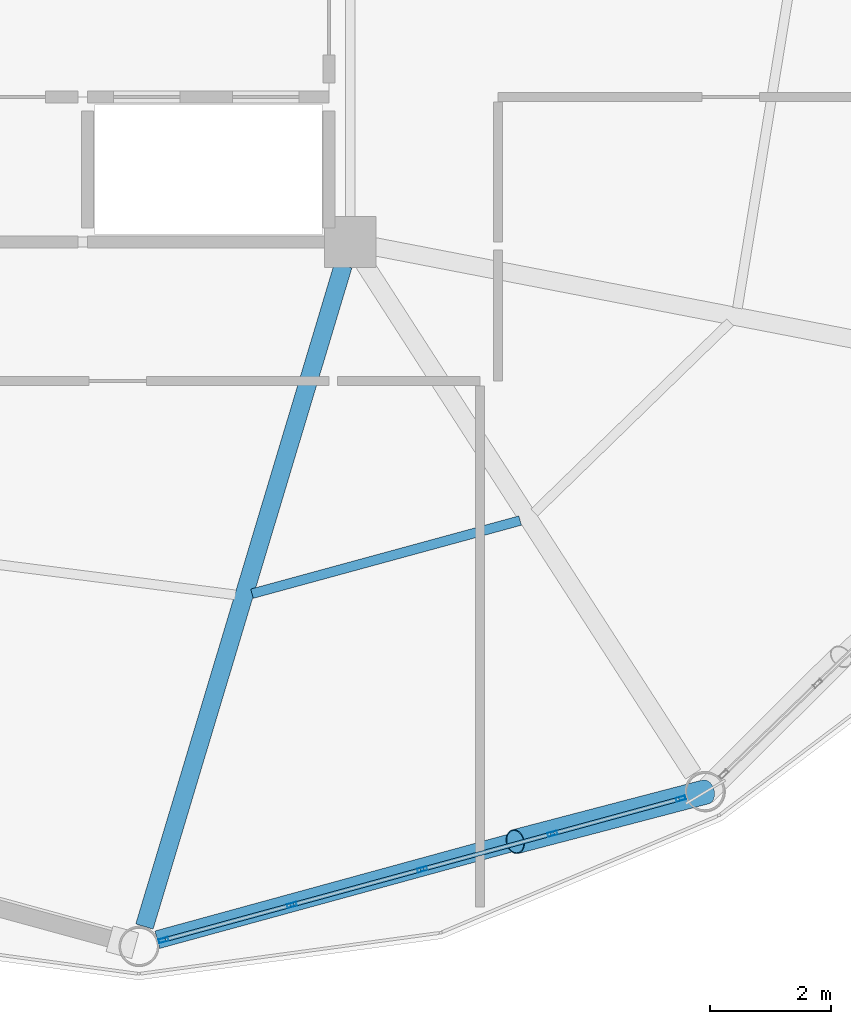
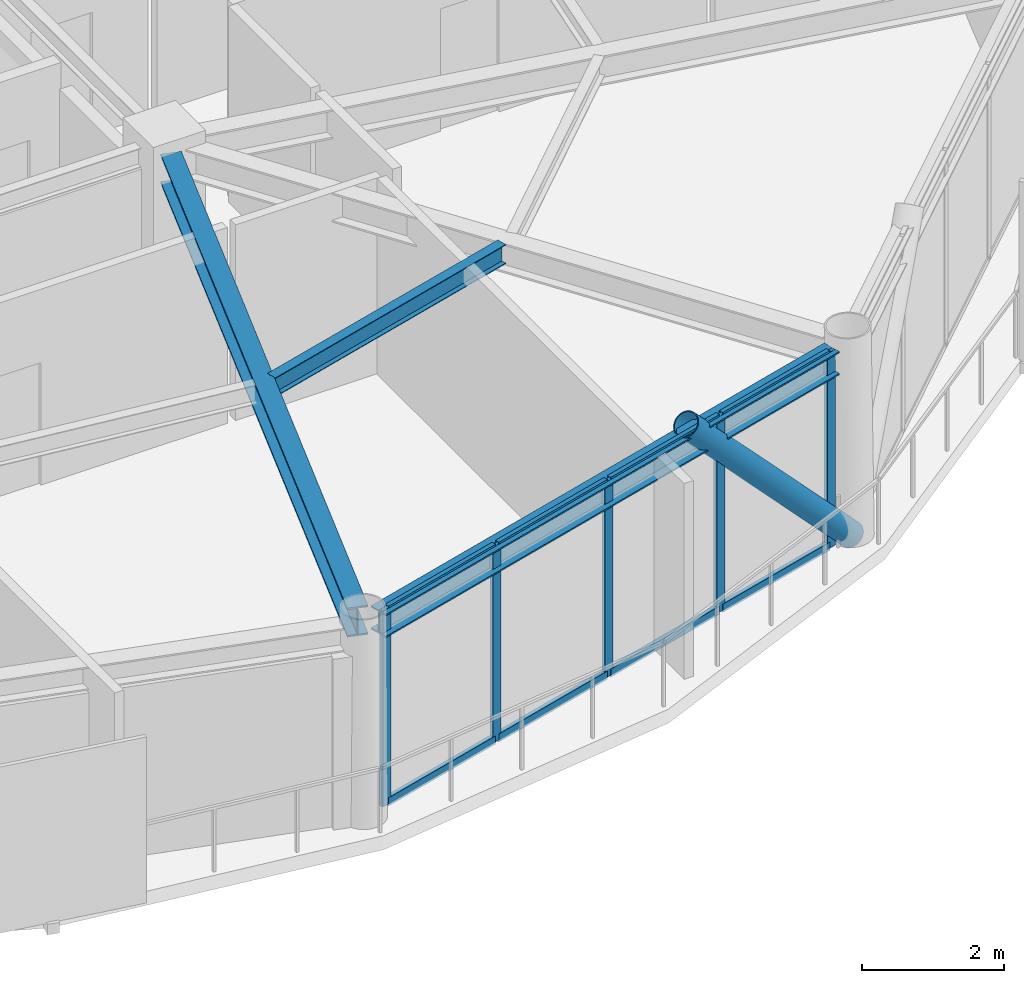
# One storey, part 7 of 28: 14 members, 3 beams, 1 element without a shape of its own.
"""IFC4 building model written with IfcOpenShell, lengths in metres."""

from ifc_helpers import new_model, si_unit, direction, frame, origin, origin_2d, place, context, subcontext, project, spatial, hollow_rectangle, hollow_circle, i_section, extrude, material, layer, layer_set, material_profile, profile_set, type_object, element, aggregate, save


model = new_model("IFC4")

# Units and contexts
model_context = context("Model", 3, precision=1e-05, world=origin(), true_north=direction((0.0, 1.0)))
body_context = subcontext(model_context, "Body", "Model", "MODEL_VIEW")
ifc_project = project(units=[si_unit("LENGTHUNIT", "METRE"), si_unit("AREAUNIT", "SQUARE_METRE"), si_unit("VOLUMEUNIT", "CUBIC_METRE"), si_unit("PLANEANGLEUNIT", "RADIAN"), si_unit("MASSUNIT", "GRAM", prefix="KILO")], contexts=[model_context])

# Site, building, storey
site_placement = place(None, origin())
site = spatial("IfcSite", under=ifc_project, at=site_placement, CompositionType="ELEMENT")
building_placement = place(site_placement, origin())
building = spatial("IfcBuilding", under=site, at=building_placement, Name="Varnakorn Sky Granary", CompositionType="ELEMENT")
storey_placement = place(building_placement, frame((0.0, 0.0, 225.60009765625)))
storey = spatial("IfcBuildingStorey", under=building, at=storey_placement, Name="L57", CompositionType="ELEMENT", Elevation=225.60009765625)

# Beams
ifc_material_1 = material(Name="Steel S355JR", Category="steel")
ifc_material_profile_1 = material_profile(ifc_material_1, i_section(OverallWidth=0.300048828125, OverallDepth=0.5, WebThickness=0.014404296875, FlangeThickness=0.028076171875, at=origin_2d()), Name="HE 500 B")
ifc_profile_set_1 = profile_set([ifc_material_profile_1], Name="Steel S355JR")
beam_type_1 = type_object("IfcBeamType", Name="BM-RAD-Z4", PredefinedType="BEAM", material=ifc_profile_set_1)
beam_1_placement = place(storey_placement, frame((8.2333984375, -6.98779296875, 3.10986328125), z_axis=(-0.287909914186, -0.957657496871, 0.0), x_axis=(0.957657496871, -0.287909914186, 0.0)))
element("IfcBeam", 1, at=beam_1_placement, inside=storey, type_object=beam_type_1, Name="Radial Floor Girder RG10 L57", PredefinedType="BEAM", context=body_context, shape_type="SweptSolid", body=[
    extrude(i_section(OverallWidth=0.300048828125, OverallDepth=0.5, WebThickness=0.014404296875, FlangeThickness=0.028076171875, at=origin_2d()), origin(), (0.0, 0.0, 1.0), 11.436767578125),
])
ifc_material_profile_2 = material_profile(ifc_material_1, i_section(OverallWidth=0.159912109375, OverallDepth=0.330078125, WebThickness=0.007568359375, FlangeThickness=0.011474609375, at=origin_2d()), Name="IPE 330")
ifc_profile_set_2 = profile_set([ifc_material_profile_2], Name="Steel S355JR")
beam_type_2 = type_object("IfcBeamType", Name="BM-SEC-Z4", PredefinedType="BEAM", material=ifc_profile_set_2)
beam_2_placement = place(storey_placement, frame((6.72216796875, -12.42724609375, 3.19482421875), z_axis=(0.964736895802, 0.263216112497, 0.0), x_axis=(-0.263216112497, 0.964736895802, 0.0)))
element("IfcBeam", 2, at=beam_2_placement, inside=storey, type_object=beam_type_2, Name="Secondary Floor Chord Beam MSB10 L57", PredefinedType="BEAM", context=body_context, shape_type="SweptSolid", body=[
    extrude(i_section(OverallWidth=0.159912109375, OverallDepth=0.330078125, WebThickness=0.007568359375, FlangeThickness=0.011474609375, at=origin_2d()), origin(), (0.0, 0.0, 1.0), 4.604248046875),
])
ifc_material_profile_3 = material_profile(ifc_material_1, i_section(OverallWidth=0.300048828125, OverallDepth=0.39990234375, WebThickness=0.013427734375, FlangeThickness=0.02392578125, at=origin_2d()), Name="HE 400 B")
ifc_profile_set_3 = profile_set([ifc_material_profile_3], Name="Steel S355JR")
beam_type_3 = type_object("IfcBeamType", Name="BM-SPD-Z4", PredefinedType="SPANDREL", material=ifc_profile_set_3)
beam_3_placement = place(storey_placement, frame((5.15380859375, -18.15869140625, 3.159912109375), z_axis=(0.964479816997, 0.264156549426, 0.0), x_axis=(-0.264156549426, 0.964479816997, 0.0)))
element("IfcBeam", 3, at=beam_3_placement, inside=storey, type_object=beam_type_3, Name="Perimeter Spandrel Ring Beam RB10 L57", PredefinedType="SPANDREL", context=body_context, shape_type="SweptSolid", body=[
    extrude(i_section(OverallWidth=0.300048828125, OverallDepth=0.39990234375, WebThickness=0.013427734375, FlangeThickness=0.02392578125, at=origin_2d()), origin(), (0.0, 0.0, 1.0), 9.06396484375),
])

# Curtain wall, members
ifc_material_2 = material(Name="Anodised Bronze Aluminium Alloy 6063-T6", Category="aluminium")
ifc_layer = layer(ifc_material_2, 0.169921875, Name="Anodised Bronze Aluminium Alloy 6063-T6")
ifc_layer_set = layer_set([ifc_layer], Name="Anodised Bronze Aluminium Alloy 6063-T6")
curtain_wall_type = type_object("IfcCurtainWallType", Name="CW-LAB-1", PredefinedType="USERDEFINED", material=ifc_layer_set)
curtain_wall_placement = place(storey_placement, origin())
curtain_wall = element("IfcCurtainWall", 4, at=curtain_wall_placement, inside=storey, type_object=curtain_wall_type, Name="Unitised Curtain Wall CW5 CW-L57-B10", ObjectType="CURTAIN WALL", PredefinedType="USERDEFINED")
ifc_material_profile_4 = material_profile(ifc_material_2, hollow_rectangle(XDim=0.06494140625, YDim=0.159912109375, WallThickness=0.00341796875, at=origin_2d()), Name="ALU MULL 65x160")
ifc_profile_set_4 = profile_set([ifc_material_profile_4], Name="Anodised Bronze Aluminium Alloy 6063-T6")
member_type_1 = type_object("IfcMemberType", Name="CW-LAB-1-MULL", PredefinedType="MULLION", material=ifc_profile_set_4)
member_1_placement = place(storey_placement, frame((13.825927734375, -15.822021484375, 0.0), z_axis=(0.0, 0.0, 1.0), x_axis=(0.263727295767, -0.964597280458, 0.0)))
member_1 = element("IfcMember", 5, at=member_1_placement, type_object=member_type_1, Name="CW5 mullion 1", PredefinedType="MULLION", context=body_context, shape_type="SweptSolid", body=[
    extrude(hollow_rectangle(XDim=0.06494140625, YDim=0.159912109375, WallThickness=0.00341796875, at=origin_2d()), origin(), (0.0, 0.0, 1.0), 3.35986328125),
])
member_2_placement = place(storey_placement, frame((11.699462890625, -16.4033203125, 0.0), z_axis=(0.0, 0.0, 1.0), x_axis=(0.263727295767, -0.964597280458, 0.0)))
member_2 = element("IfcMember", 6, at=member_2_placement, type_object=member_type_1, Name="CW5 mullion 2", PredefinedType="MULLION", context=body_context, shape_type="SweptSolid", body=[
    extrude(hollow_rectangle(XDim=0.06494140625, YDim=0.159912109375, WallThickness=0.00341796875, at=origin_2d()), origin(), (0.0, 0.0, 1.0), 3.35986328125),
])
member_3_placement = place(storey_placement, frame((9.541748046875, -16.993408203125, 0.0), z_axis=(0.0, 0.0, 1.0), x_axis=(0.263727295767, -0.964597280458, 0.0)))
member_3 = element("IfcMember", 7, at=member_3_placement, type_object=member_type_1, Name="CW5 mullion 3", PredefinedType="MULLION", context=body_context, shape_type="SweptSolid", body=[
    extrude(hollow_rectangle(XDim=0.06494140625, YDim=0.159912109375, WallThickness=0.00341796875, at=origin_2d()), origin(), (0.0, 0.0, 1.0), 3.35986328125),
])
member_4_placement = place(storey_placement, frame((7.384033203125, -17.583251953125, 0.0), z_axis=(0.0, 0.0, 1.0), x_axis=(0.263727295767, -0.964597280458, 0.0)))
member_4 = element("IfcMember", 8, at=member_4_placement, type_object=member_type_1, Name="CW5 mullion 4", PredefinedType="MULLION", context=body_context, shape_type="SweptSolid", body=[
    extrude(hollow_rectangle(XDim=0.06494140625, YDim=0.159912109375, WallThickness=0.00341796875, at=origin_2d()), origin(), (0.0, 0.0, 1.0), 3.35986328125),
])
member_5_placement = place(storey_placement, frame((5.257568359375, -18.16455078125, 0.0), z_axis=(0.0, 0.0, 1.0), x_axis=(0.263727295767, -0.964597280458, 0.0)))
member_5 = element("IfcMember", 9, at=member_5_placement, type_object=member_type_1, Name="CW5 mullion 5", PredefinedType="MULLION", context=body_context, shape_type="SweptSolid", body=[
    extrude(hollow_rectangle(XDim=0.06494140625, YDim=0.159912109375, WallThickness=0.00341796875, at=origin_2d()), origin(), (0.0, 0.0, 1.0), 3.35986328125),
])
ifc_material_profile_5 = material_profile(ifc_material_2, hollow_rectangle(XDim=0.070068359375, YDim=0.139892578125, WallThickness=0.00341796875, at=origin_2d()), Name="ALU TRAN 70x140")
ifc_profile_set_5 = profile_set([ifc_material_profile_5], Name="Anodised Bronze Aluminium Alloy 6063-T6")
member_type_2 = type_object("IfcMemberType", Name="CW-LAB-1-TRAN", PredefinedType="USERDEFINED", material=ifc_profile_set_5)
member_6_placement = place(storey_placement, frame((13.794677734375, -15.83056640625, 0.034912109375), z_axis=(-0.964600365591, -0.263716011461, 0.0), x_axis=(0.263716011461, -0.964600365591, 0.0)))
member_6 = element("IfcMember", 10, at=member_6_placement, type_object=member_type_2, Name="CW5 transom 1.1", ObjectType="TRANSOM", PredefinedType="USERDEFINED", context=body_context, shape_type="SweptSolid", body=[
    extrude(hollow_rectangle(XDim=0.070068359375, YDim=0.139892578125, WallThickness=0.00341796875, at=origin_2d()), origin(), (0.0, 0.0, 1.0), 2.139404296875),
])
member_7_placement = place(storey_placement, frame((13.794677734375, -15.83056640625, 3.324951171875), z_axis=(-0.964600365591, -0.263716011461, 0.0), x_axis=(0.263716011461, -0.964600365591, 0.0)))
member_7 = element("IfcMember", 11, at=member_7_placement, type_object=member_type_2, Name="CW5 transom 1.2", ObjectType="TRANSOM", PredefinedType="USERDEFINED", context=body_context, shape_type="SweptSolid", body=[
    extrude(hollow_rectangle(XDim=0.070068359375, YDim=0.139892578125, WallThickness=0.00341796875, at=origin_2d()), origin(), (0.0, 0.0, 1.0), 2.139404296875),
])
member_8_placement = place(storey_placement, frame((11.668212890625, -16.411865234375, 0.034912109375), z_axis=(-0.964608023122, -0.263688000728, 0.0), x_axis=(0.263688000728, -0.964608023122, 0.0)))
member_8 = element("IfcMember", 12, at=member_8_placement, type_object=member_type_2, Name="CW5 transom 2.1", ObjectType="TRANSOM", PredefinedType="USERDEFINED", context=body_context, shape_type="SweptSolid", body=[
    extrude(hollow_rectangle(XDim=0.070068359375, YDim=0.139892578125, WallThickness=0.00341796875, at=origin_2d()), origin(), (0.0, 0.0, 1.0), 2.172119140625),
])
member_9_placement = place(storey_placement, frame((11.668212890625, -16.411865234375, 3.324951171875), z_axis=(-0.964608023122, -0.263688000728, 0.0), x_axis=(0.263688000728, -0.964608023122, 0.0)))
member_9 = element("IfcMember", 13, at=member_9_placement, type_object=member_type_2, Name="CW5 transom 2.2", ObjectType="TRANSOM", PredefinedType="USERDEFINED", context=body_context, shape_type="SweptSolid", body=[
    extrude(hollow_rectangle(XDim=0.070068359375, YDim=0.139892578125, WallThickness=0.00341796875, at=origin_2d()), origin(), (0.0, 0.0, 1.0), 2.172119140625),
])
member_10_placement = place(storey_placement, frame((9.510498046875, -17.001953125, 0.034912109375), z_axis=(-0.964608023122, -0.263688000728, 0.0), x_axis=(0.263688000728, -0.964608023122, 0.0)))
member_10 = element("IfcMember", 14, at=member_10_placement, type_object=member_type_2, Name="CW5 transom 3.1", ObjectType="TRANSOM", PredefinedType="USERDEFINED", context=body_context, shape_type="SweptSolid", body=[
    extrude(hollow_rectangle(XDim=0.070068359375, YDim=0.139892578125, WallThickness=0.00341796875, at=origin_2d()), origin(), (0.0, 0.0, 1.0), 2.172119140625),
])
member_11_placement = place(storey_placement, frame((9.510498046875, -17.001953125, 3.324951171875), z_axis=(-0.964608023122, -0.263688000728, 0.0), x_axis=(0.263688000728, -0.964608023122, 0.0)))
member_11 = element("IfcMember", 15, at=member_11_placement, type_object=member_type_2, Name="CW5 transom 3.2", ObjectType="TRANSOM", PredefinedType="USERDEFINED", context=body_context, shape_type="SweptSolid", body=[
    extrude(hollow_rectangle(XDim=0.070068359375, YDim=0.139892578125, WallThickness=0.00341796875, at=origin_2d()), origin(), (0.0, 0.0, 1.0), 2.172119140625),
])
member_12_placement = place(storey_placement, frame((7.3525390625, -17.591796875, 0.034912109375), z_axis=(-0.964600365591, -0.263716011461, 0.0), x_axis=(0.263716011461, -0.964600365591, 0.0)))
member_12 = element("IfcMember", 16, at=member_12_placement, type_object=member_type_2, Name="CW5 transom 4.1", ObjectType="TRANSOM", PredefinedType="USERDEFINED", context=body_context, shape_type="SweptSolid", body=[
    extrude(hollow_rectangle(XDim=0.070068359375, YDim=0.139892578125, WallThickness=0.00341796875, at=origin_2d()), origin(), (0.0, 0.0, 1.0), 2.139404296875),
])
member_13_placement = place(storey_placement, frame((7.3525390625, -17.591796875, 3.324951171875), z_axis=(-0.964600365591, -0.263716011461, 0.0), x_axis=(0.263716011461, -0.964600365591, 0.0)))
member_13 = element("IfcMember", 17, at=member_13_placement, type_object=member_type_2, Name="CW5 transom 4.2", ObjectType="TRANSOM", PredefinedType="USERDEFINED", context=body_context, shape_type="SweptSolid", body=[
    extrude(hollow_rectangle(XDim=0.070068359375, YDim=0.139892578125, WallThickness=0.00341796875, at=origin_2d()), origin(), (0.0, 0.0, 1.0), 2.139404296875),
])
aggregate(curtain_wall, [member_1, member_2, member_3, member_4, member_5, member_6, member_7, member_8, member_9, member_10, member_11, member_12, member_13])

# Member
ifc_material_3 = material(Name="Steel S460M", Category="steel")
ifc_material_profile_6 = material_profile(ifc_material_3, hollow_circle(Radius=0.203125, WallThickness=0.01611328125, at=origin_2d()), Name="CHS 406.4x16")
ifc_profile_set_6 = profile_set([ifc_material_profile_6], Name="Steel S460M")
member_type_3 = type_object("IfcMemberType", Name="MB-DIAG-T4", PredefinedType="BRACE", material=ifc_profile_set_6)
member_14_placement = place(storey_placement, frame((14.2333984375, -15.710693359375, 0.0), z_axis=(-0.660009391613, -0.172623349093, 0.731155785268), x_axis=(0.253035301521, -0.96745704617, 0.0)))
element("IfcMember", 18, at=member_14_placement, inside=storey, type_object=member_type_3, Name="Perimeter CHS Diagrid Brace DG10 L57", PredefinedType="BRACE", context=body_context, shape_type="SweptSolid", body=[
    extrude(hollow_circle(Radius=0.203125, WallThickness=0.01611328125, at=origin_2d()), origin(), (0.0, 0.0, 1.0), 4.773193359375),
])

save(model, "model.ifc")
